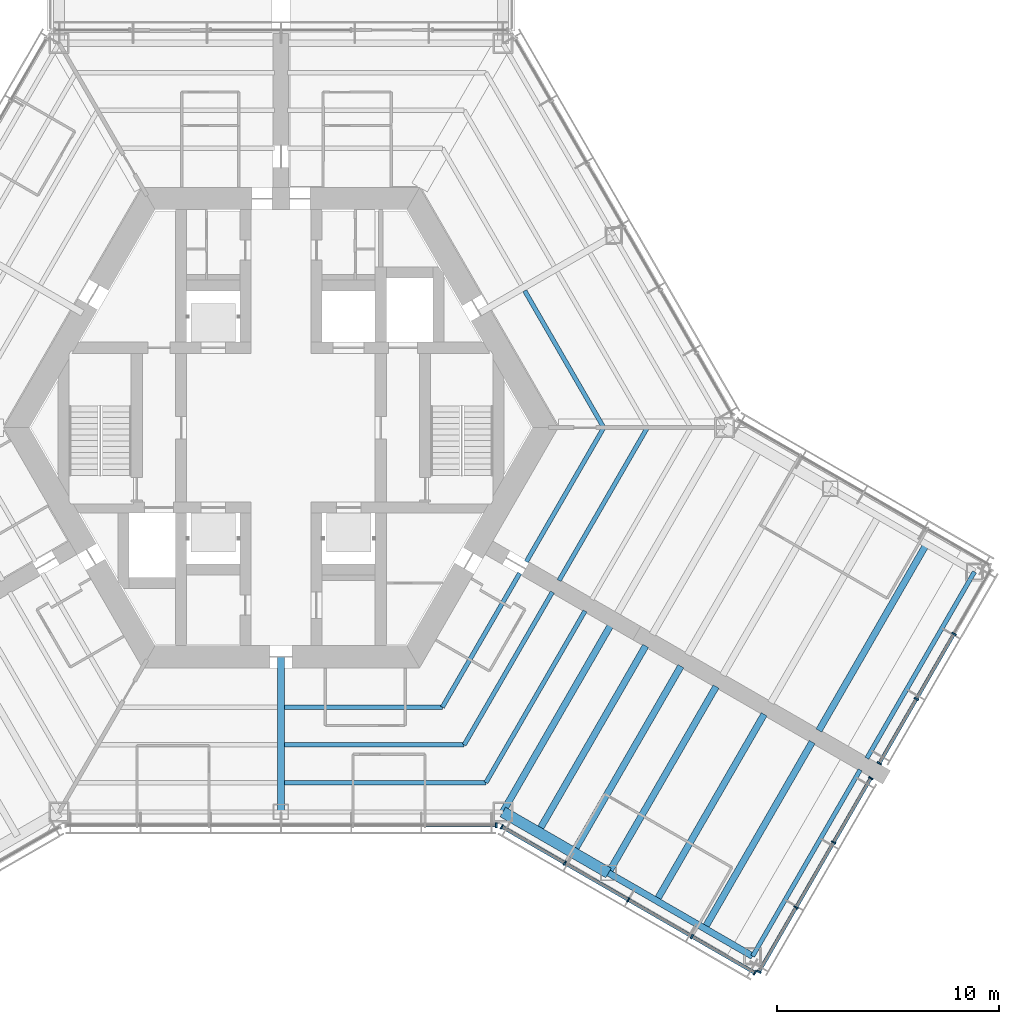
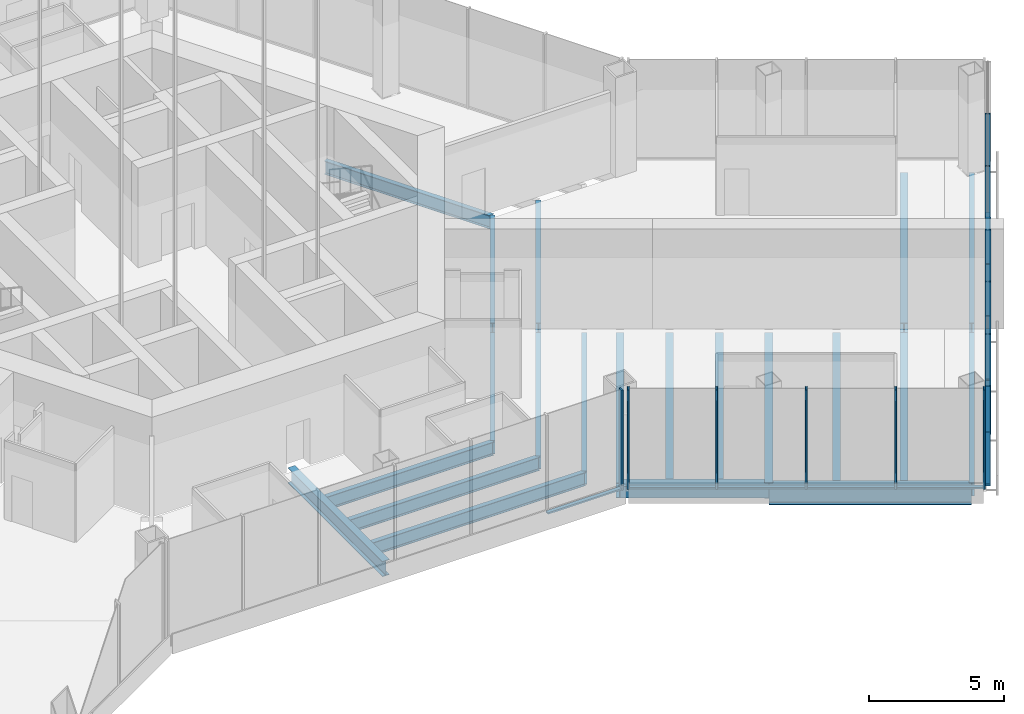
# One storey, part 4 of 18: 23 members, 21 beams, 4 elements without a shape of their own.
"""IFC4 building model written with IfcOpenShell, lengths in metres."""

from ifc_helpers import new_model, si_unit, direction, frame, origin, origin_2d, place, context, subcontext, project, spatial, rectangle, hollow_rectangle, i_section, extrude, material, material_profile, profile_set, type_object, element, aggregate, save


model = new_model("IFC4")

# Units and contexts
model_context = context("Model", 3, precision=1e-05, world=origin(), true_north=direction((0.0, 1.0)))
body_context = subcontext(model_context, "Body", "Model", "MODEL_VIEW")
ifc_project = project(units=[si_unit("LENGTHUNIT", "METRE"), si_unit("AREAUNIT", "SQUARE_METRE"), si_unit("VOLUMEUNIT", "CUBIC_METRE"), si_unit("PLANEANGLEUNIT", "RADIAN"), si_unit("MASSUNIT", "GRAM", prefix="KILO")], contexts=[model_context])

# Site, building, storey
site_placement = place(None, origin())
site = spatial("IfcSite", under=ifc_project, at=site_placement, CompositionType="ELEMENT")
building_placement = place(site_placement, origin())
building = spatial("IfcBuilding", under=site, at=building_placement, Name="Kasaneha Research Tower", CompositionType="ELEMENT")
storey_placement = place(building_placement, frame((0.0, 0.0, 128.60009765625)))
storey = spatial("IfcBuildingStorey", under=building, at=storey_placement, Name="L32", CompositionType="ELEMENT", Elevation=128.60009765625)

# Beams
ifc_material_1 = material(Name="Steel SN490B", Category="steel")
ifc_material_profile_1 = material_profile(ifc_material_1, i_section(OverallWidth=0.199951171875, OverallDepth=0.60009765625, WebThickness=0.010986328125, FlangeThickness=0.01708984375, FilletRadius=0.012939453125, at=origin_2d()), Name="H-600x200x11x17")
ifc_profile_set_1 = profile_set([ifc_material_profile_1], Name="Steel SN490B")
beam_type_1 = type_object("IfcBeamType", Name="B1-4 secondary beam H-600x200x11x17", PredefinedType="JOIST", material=ifc_profile_set_1)
for number, where, z_axis, x_axis, name in (
    (1, (14.54931640625, 0.0, -0.5), (-0.500016104636, 0.866016105569, 0.0), (-0.866016105569, -0.500016104636, 0.0), "Secondary beam RS030L1 L32"),
    (2, (7.274658203125, -12.60009765625, -0.5), (-1.0, 0.0, 0.0), (0.0, -1.0, 0.0), "Secondary beam RS270R1 L32"),
):
    element("IfcBeam", number, at=place(storey_placement, frame(where, z_axis=z_axis, x_axis=x_axis)), inside=storey, type_object=beam_type_1, Name=name, PredefinedType="JOIST", context=body_context, shape_type="SweptSolid", body=[
        extrude(i_section(OverallWidth=0.199951171875, OverallDepth=0.60009765625, WebThickness=0.010986328125, FlangeThickness=0.01708984375, FilletRadius=0.012939453125, at=origin_2d()), origin(), (0.0, 0.0, 1.0), 7.124755859375),
    ])
beam_1_placement = place(storey_placement, frame((8.256103515625, -14.300048828125, -0.5), z_axis=(-1.0, 0.0, 0.0), x_axis=(0.0, -1.0, 0.0)))
element("IfcBeam", 3, at=beam_1_placement, inside=storey, type_object=beam_type_1, Name="Secondary beam RS270R2 L32", PredefinedType="JOIST", context=body_context, shape_type="SweptSolid", body=[
    extrude(i_section(OverallWidth=0.199951171875, OverallDepth=0.60009765625, WebThickness=0.010986328125, FlangeThickness=0.01708984375, FilletRadius=0.012939453125, at=origin_2d()), origin(), (0.0, 0.0, 1.0), 8.106201171875),
])
beam_2_placement = place(storey_placement, frame((9.237548828125, -16.0, -0.5), z_axis=(-1.0, 0.0, 0.0), x_axis=(0.0, -1.0, 0.0)))
element("IfcBeam", 4, at=beam_2_placement, inside=storey, type_object=beam_type_1, Name="Secondary beam RS270R3 L32", PredefinedType="JOIST", context=body_context, shape_type="SweptSolid", body=[
    extrude(i_section(OverallWidth=0.199951171875, OverallDepth=0.60009765625, WebThickness=0.010986328125, FlangeThickness=0.01708984375, FilletRadius=0.012939453125, at=origin_2d()), origin(), (0.0, 0.0, 1.0), 9.087646484375),
])
beam_3_placement = place(storey_placement, frame((7.274658203125, -12.60009765625, -0.5), z_axis=(0.499994145342, 0.866028783947, 0.0), x_axis=(-0.866028783947, 0.499994145342, 0.0)))
element("IfcBeam", 5, at=beam_3_placement, inside=storey, type_object=beam_type_1, Name="Secondary beam RS330L1 L32", PredefinedType="JOIST", context=body_context, shape_type="SweptSolid", body=[
    extrude(i_section(OverallWidth=0.199951171875, OverallDepth=0.60009765625, WebThickness=0.010986328125, FlangeThickness=0.01708984375, FilletRadius=0.012939453125, at=origin_2d()), origin(), (0.0, 0.0, 1.0), 6.974609375),
])
beam_4_placement = place(storey_placement, frame((8.256103515625, -14.300048828125, -0.5), z_axis=(0.50000047647, 0.866025128694, 0.0), x_axis=(-0.866025128694, 0.50000047647, 0.0)))
element("IfcBeam", 6, at=beam_4_placement, inside=storey, type_object=beam_type_1, Name="Secondary beam RS330L2 L32", PredefinedType="JOIST", context=body_context, shape_type="SweptSolid", body=[
    extrude(i_section(OverallWidth=0.199951171875, OverallDepth=0.60009765625, WebThickness=0.010986328125, FlangeThickness=0.01708984375, FilletRadius=0.012939453125, at=origin_2d()), origin(), (0.0, 0.0, 1.0), 7.9560546875),
])
beam_5_placement = place(storey_placement, frame((9.237548828125, -16.0, -0.5), z_axis=(0.49999358888, 0.866029105215, 0.0), x_axis=(-0.866029105215, 0.49999358888, 0.0)))
element("IfcBeam", 7, at=beam_5_placement, inside=storey, type_object=beam_type_1, Name="Secondary beam RS330L3 L32", PredefinedType="JOIST", context=body_context, shape_type="SweptSolid", body=[
    extrude(i_section(OverallWidth=0.199951171875, OverallDepth=0.60009765625, WebThickness=0.010986328125, FlangeThickness=0.01708984375, FilletRadius=0.012939453125, at=origin_2d()), origin(), (0.0, 0.0, 1.0), 8.9375),
])
beam_6_placement = place(storey_placement, frame((14.54931640625, 0.0, -0.5), z_axis=(-0.499994145342, -0.866028783947, 0.0), x_axis=(0.866028783947, -0.499994145342, 0.0)))
element("IfcBeam", 8, at=beam_6_placement, inside=storey, type_object=beam_type_1, Name="Secondary beam RS330R1 L32", PredefinedType="JOIST", context=body_context, shape_type="SweptSolid", body=[
    extrude(i_section(OverallWidth=0.199951171875, OverallDepth=0.60009765625, WebThickness=0.010986328125, FlangeThickness=0.01708984375, FilletRadius=0.012939453125, at=origin_2d()), origin(), (0.0, 0.0, 1.0), 6.974609375),
])
beam_7_placement = place(storey_placement, frame((16.51220703125, 0.0, -0.5), z_axis=(-0.50000047647, -0.866025128694, 0.0), x_axis=(0.866025128694, -0.50000047647, 0.0)))
element("IfcBeam", 9, at=beam_7_placement, inside=storey, type_object=beam_type_1, Name="Secondary beam RS330R2 L32", PredefinedType="JOIST", context=body_context, shape_type="SweptSolid", body=[
    extrude(i_section(OverallWidth=0.199951171875, OverallDepth=0.60009765625, WebThickness=0.010986328125, FlangeThickness=0.01708984375, FilletRadius=0.012939453125, at=origin_2d()), origin(), (0.0, 0.0, 1.0), 7.9560546875),
])
ifc_material_2 = material(Name="Steel SN490B", Category="steel")
ifc_material_profile_2 = material_profile(ifc_material_2, i_section(OverallWidth=0.300048828125, OverallDepth=0.58203125, WebThickness=0.011962890625, FlangeThickness=0.01708984375, FilletRadius=0.012939453125, at=origin_2d()), Name="H-582x300x12x17")
ifc_profile_set_2 = profile_set([ifc_material_profile_2], Name="Steel SN490B")
beam_type_2 = type_object("IfcBeamType", Name="B2-4 secondary beam H-582x300x12x17", PredefinedType="JOIST", material=ifc_profile_set_2)
for number, where, z_axis, x_axis, name in (
    (10, (11.587646484375, -18.237060546875, -0.4912109375), (0.500010041276, 0.866019606374, 0.0), (-0.866019606374, 0.500010041276, 0.0), "Secondary beam WBCP1 L32"),
    (11, (13.175537109375, -19.15380859375, -0.4912109375), (0.499991164321, 0.866030505006, 0.0), (-0.866030505006, 0.499991164321, 0.0), "Secondary beam WBCP2 L32"),
    (12, (16.92822265625, -21.320556640625, -0.4912109375), (0.500010041276, 0.866019606374, 0.0), (-0.866019606374, 0.500010041276, 0.0), "Secondary beam WBCP3 L32"),
    (13, (19.09326171875, -22.570556640625, -0.4912109375), (0.500010041276, 0.866019606374, 0.0), (-0.866019606374, 0.500010041276, 0.0), "Secondary beam WBCP4 L32"),
    (14, (29.09326171875, -5.25, -0.4912109375), (-0.500010041276, -0.866019606374, 0.0), (0.866019606374, -0.500010041276, 0.0), "Secondary beam WBCN4 L32"),
):
    element("IfcBeam", number, at=place(storey_placement, frame(where, z_axis=z_axis, x_axis=x_axis)), inside=storey, type_object=beam_type_2, Name=name, PredefinedType="JOIST", context=body_context, shape_type="SweptSolid", body=[
        extrude(i_section(OverallWidth=0.300048828125, OverallDepth=0.58203125, WebThickness=0.011962890625, FlangeThickness=0.01708984375, FilletRadius=0.012939453125, at=origin_2d()), origin(), (0.0, 0.0, 1.0), 9.699951171875),
    ])
ifc_material_3 = material(Name="Steel SN490B", Category="steel")
ifc_material_profile_3 = material_profile(ifc_material_3, hollow_rectangle(XDim=0.5, YDim=0.5, WallThickness=0.02197265625, at=origin_2d()), Name="BOX-500x500x22")
ifc_profile_set_3 = profile_set([ifc_material_profile_3], Name="Steel SN490B")
beam_type_3 = type_object("IfcBeamType", Name="BC1-4 belt chord BOX-500x500x22", PredefinedType="BEAM", material=ifc_profile_set_3)
beam_8_placement = place(storey_placement, frame((10.0, -17.320556640625, -0.4501953125), z_axis=(0.866027397988, -0.499996545922, 0.0), x_axis=(0.499996545922, 0.866027397988, 0.0)))
element("IfcBeam", 15, at=beam_8_placement, inside=storey, type_object=beam_type_3, Name="Belt chord WSCP1 L32", PredefinedType="BEAM", context=body_context, shape_type="SweptSolid", body=[
    extrude(hollow_rectangle(XDim=0.5, YDim=0.5, WallThickness=0.02197265625, at=origin_2d()), origin(), (0.0, 0.0, 1.0), 5.5),
])

# Curtain wall, member
ifc_material_4 = material(Name="Glass and aluminium", Category="aluminium")
curtain_wall_type = type_object("IfcCurtainWallType", Name="Sky lobby curtain wall", PredefinedType="USERDEFINED", material=ifc_material_4)
curtain_wall_1_placement = place(storey_placement, origin())
curtain_wall_1 = element("IfcCurtainWall", 16, at=curtain_wall_1_placement, inside=storey, type_object=curtain_wall_type, Name="CW-S L32 run 01a", ObjectType="UNITISED CURTAIN WALL", PredefinedType="USERDEFINED")
ifc_material_5 = material(Name="Aluminium 6063-T6", Category="aluminium")
ifc_material_profile_4 = material_profile(ifc_material_5, rectangle(XDim=0.070068359375, YDim=0.219970703125, at=origin_2d()), Name="CW-S mullion 70x220")
ifc_profile_set_4 = profile_set([ifc_material_profile_4], Name="Aluminium 6063-T6")
member_type_1 = type_object("IfcMemberType", Name="CW-S mullion", PredefinedType="MULLION", material=ifc_profile_set_4)
member_1_placement = place(storey_placement, frame((9.704345703125, -17.92041015625, 0.0), z_axis=(0.0, 0.0, 1.0), x_axis=(1.0, 0.0, 0.0)))
member_1 = element("IfcMember", 17, at=member_1_placement, type_object=member_type_1, Name="CW-S mullion 7", PredefinedType="MULLION", context=body_context, shape_type="SweptSolid", body=[
    extrude(rectangle(XDim=0.070068359375, YDim=0.219970703125, at=origin_2d()), origin(), (0.0, 0.0, 1.0), 4.5),
])

# Curtain wall, members
curtain_wall_2_placement = place(storey_placement, origin())
curtain_wall_2 = element("IfcCurtainWall", 18, at=curtain_wall_2_placement, inside=storey, type_object=curtain_wall_type, Name="CW-S L32 run 02a", ObjectType="UNITISED CURTAIN WALL", PredefinedType="USERDEFINED")
member_2_placement = place(storey_placement, frame((9.9560546875, -17.988037109375, 0.0), z_axis=(0.0, 0.0, 1.0), x_axis=(0.866025411464, -0.499999986699, 0.0)))
member_2 = element("IfcMember", 19, at=member_2_placement, type_object=member_type_1, Name="CW-S mullion 1", PredefinedType="MULLION", context=body_context, shape_type="SweptSolid", body=[
    extrude(rectangle(XDim=0.070068359375, YDim=0.219970703125, at=origin_2d()), origin(), (0.0, 0.0, 1.0), 4.5),
])
member_3_placement = place(storey_placement, frame((12.792236328125, -19.62548828125, 0.0), z_axis=(0.0, 0.0, 1.0), x_axis=(0.866025411464, -0.499999986699, 0.0)))
member_3 = element("IfcMember", 20, at=member_3_placement, type_object=member_type_1, Name="CW-S mullion 2", PredefinedType="MULLION", context=body_context, shape_type="SweptSolid", body=[
    extrude(rectangle(XDim=0.070068359375, YDim=0.219970703125, at=origin_2d()), origin(), (0.0, 0.0, 1.0), 4.5),
])
member_4_placement = place(storey_placement, frame((15.65869140625, -21.2802734375, 0.0), z_axis=(0.0, 0.0, 1.0), x_axis=(0.866025411464, -0.499999986699, 0.0)))
member_4 = element("IfcMember", 21, at=member_4_placement, type_object=member_type_1, Name="CW-S mullion 3", PredefinedType="MULLION", context=body_context, shape_type="SweptSolid", body=[
    extrude(rectangle(XDim=0.070068359375, YDim=0.219970703125, at=origin_2d()), origin(), (0.0, 0.0, 1.0), 4.5),
])
member_5_placement = place(storey_placement, frame((18.52490234375, -22.935302734375, 0.0), z_axis=(0.0, 0.0, 1.0), x_axis=(0.866025411464, -0.499999986699, 0.0)))
member_5 = element("IfcMember", 22, at=member_5_placement, type_object=member_type_1, Name="CW-S mullion 4", PredefinedType="MULLION", context=body_context, shape_type="SweptSolid", body=[
    extrude(rectangle(XDim=0.070068359375, YDim=0.219970703125, at=origin_2d()), origin(), (0.0, 0.0, 1.0), 4.5),
])
member_6_placement = place(storey_placement, frame((21.361083984375, -24.572509765625, 0.0), z_axis=(0.0, 0.0, 1.0), x_axis=(0.866025411464, -0.499999986699, 0.0)))
member_6 = element("IfcMember", 23, at=member_6_placement, type_object=member_type_1, Name="CW-S mullion 5", PredefinedType="MULLION", context=body_context, shape_type="SweptSolid", body=[
    extrude(rectangle(XDim=0.070068359375, YDim=0.219970703125, at=origin_2d()), origin(), (0.0, 0.0, 1.0), 4.5),
])

curtain_wall_3_placement = place(storey_placement, origin())
curtain_wall_3 = element("IfcCurtainWall", 24, at=curtain_wall_3_placement, inside=storey, type_object=curtain_wall_type, Name="CW-S L32 run 03a", ObjectType="UNITISED CURTAIN WALL", PredefinedType="USERDEFINED")
member_7_placement = place(storey_placement, frame((21.54541015625, -24.523193359375, 0.0), z_axis=(0.0, 0.0, 1.0), x_axis=(0.500000011442, 0.866025397178, 0.0)))
member_7 = element("IfcMember", 25, at=member_7_placement, type_object=member_type_1, Name="CW-S mullion 1", PredefinedType="MULLION", context=body_context, shape_type="SweptSolid", body=[
    extrude(rectangle(XDim=0.070068359375, YDim=0.219970703125, at=origin_2d()), origin(), (0.0, 0.0, 1.0), 4.5),
])
member_8_placement = place(storey_placement, frame((23.2197265625, -21.62353515625, 0.0), z_axis=(0.0, 0.0, 1.0), x_axis=(0.500000011442, 0.866025397178, 0.0)))
member_8 = element("IfcMember", 26, at=member_8_placement, type_object=member_type_1, Name="CW-S mullion 2", PredefinedType="MULLION", context=body_context, shape_type="SweptSolid", body=[
    extrude(rectangle(XDim=0.070068359375, YDim=0.219970703125, at=origin_2d()), origin(), (0.0, 0.0, 1.0), 4.5),
])
member_9_placement = place(storey_placement, frame((24.911376953125, -18.693359375, 0.0), z_axis=(0.0, 0.0, 1.0), x_axis=(0.500000011442, 0.866025397178, 0.0)))
member_9 = element("IfcMember", 27, at=member_9_placement, type_object=member_type_1, Name="CW-S mullion 3", PredefinedType="MULLION", context=body_context, shape_type="SweptSolid", body=[
    extrude(rectangle(XDim=0.070068359375, YDim=0.219970703125, at=origin_2d()), origin(), (0.0, 0.0, 1.0), 4.5),
])
member_10_placement = place(storey_placement, frame((26.58544921875, -15.793701171875, 0.0), z_axis=(0.0, 0.0, 1.0), x_axis=(0.500000011442, 0.866025397178, 0.0)))
member_10 = element("IfcMember", 28, at=member_10_placement, type_object=member_type_1, Name="CW-S mullion 4", PredefinedType="MULLION", context=body_context, shape_type="SweptSolid", body=[
    extrude(rectangle(XDim=0.070068359375, YDim=0.219970703125, at=origin_2d()), origin(), (0.0, 0.0, 1.0), 4.5),
])

curtain_wall_4_placement = place(storey_placement, origin())
curtain_wall_4 = element("IfcCurtainWall", 29, at=curtain_wall_4_placement, inside=storey, type_object=curtain_wall_type, Name="CW-S L32 run 04a", ObjectType="UNITISED CURTAIN WALL", PredefinedType="USERDEFINED")
member_11_placement = place(storey_placement, frame((26.970458984375, -15.126953125, 0.0), z_axis=(0.0, 0.0, 1.0), x_axis=(0.500000011442, 0.866025397178, 0.0)))
member_11 = element("IfcMember", 30, at=member_11_placement, type_object=member_type_1, Name="CW-S mullion 1", PredefinedType="MULLION", context=body_context, shape_type="SweptSolid", body=[
    extrude(rectangle(XDim=0.070068359375, YDim=0.219970703125, at=origin_2d()), origin(), (0.0, 0.0, 1.0), 4.5),
])
member_12_placement = place(storey_placement, frame((28.64453125, -12.22705078125, 0.0), z_axis=(0.0, 0.0, 1.0), x_axis=(0.500000011442, 0.866025397178, 0.0)))
member_12 = element("IfcMember", 31, at=member_12_placement, type_object=member_type_1, Name="CW-S mullion 2", PredefinedType="MULLION", context=body_context, shape_type="SweptSolid", body=[
    extrude(rectangle(XDim=0.070068359375, YDim=0.219970703125, at=origin_2d()), origin(), (0.0, 0.0, 1.0), 4.5),
])
member_13_placement = place(storey_placement, frame((30.336181640625, -9.297119140625, 0.0), z_axis=(0.0, 0.0, 1.0), x_axis=(0.500000011442, 0.866025397178, 0.0)))
member_13 = element("IfcMember", 32, at=member_13_placement, type_object=member_type_1, Name="CW-S mullion 3", PredefinedType="MULLION", context=body_context, shape_type="SweptSolid", body=[
    extrude(rectangle(XDim=0.070068359375, YDim=0.219970703125, at=origin_2d()), origin(), (0.0, 0.0, 1.0), 4.5),
])

# Member
ifc_material_6 = material(Name="Aluminium 6063-T6", Category="aluminium")
ifc_material_profile_5 = material_profile(ifc_material_6, rectangle(XDim=0.159912109375, YDim=0.070068359375, at=origin_2d()), Name="CW-S transom 160x70")
ifc_profile_set_5 = profile_set([ifc_material_profile_5], Name="Aluminium 6063-T6")
member_type_2 = type_object("IfcMemberType", Name="CW-S transom", PredefinedType="USERDEFINED", material=ifc_profile_set_5)
member_14_placement = place(storey_placement, frame((6.52783203125, -17.92041015625, 0.034912109375), z_axis=(1.0, 0.0, 0.0), x_axis=(0.0, 1.0, 0.0)))
member_14 = element("IfcMember", 33, at=member_14_placement, type_object=member_type_2, Name="CW-S transom 6", ObjectType="TRANSOM", PredefinedType="USERDEFINED", context=body_context, shape_type="SweptSolid", body=[
    extrude(rectangle(XDim=0.159912109375, YDim=0.070068359375, at=origin_2d()), origin(), (0.0, 0.0, 1.0), 3.141357421875),
])

aggregate(curtain_wall_1, [member_1, member_14])

member_15_placement = place(storey_placement, frame((9.986572265625, -18.005615234375, 0.034912109375), z_axis=(0.866035889079, -0.499981838497, 0.0), x_axis=(0.499981838497, 0.866035889079, 0.0)))
member_15 = element("IfcMember", 34, at=member_15_placement, type_object=member_type_2, Name="CW-S transom 1", ObjectType="TRANSOM", PredefinedType="USERDEFINED", context=body_context, shape_type="SweptSolid", body=[
    extrude(rectangle(XDim=0.159912109375, YDim=0.070068359375, at=origin_2d()), origin(), (0.0, 0.0, 1.0), 3.20458984375),
])

member_16_placement = place(storey_placement, frame((12.822509765625, -19.642822265625, 0.034912109375), z_axis=(0.866022443901, -0.500005126634, 0.0), x_axis=(0.500005126634, 0.866022443901, 0.0)))
member_16 = element("IfcMember", 35, at=member_16_placement, type_object=member_type_2, Name="CW-S transom 2", ObjectType="TRANSOM", PredefinedType="USERDEFINED", context=body_context, shape_type="SweptSolid", body=[
    extrude(rectangle(XDim=0.159912109375, YDim=0.070068359375, at=origin_2d()), origin(), (0.0, 0.0, 1.0), 3.23974609375),
])

member_17_placement = place(storey_placement, frame((15.68896484375, -21.2978515625, 0.034912109375), z_axis=(0.866022443901, -0.500005126634, 0.0), x_axis=(0.500005126634, 0.866022443901, 0.0)))
member_17 = element("IfcMember", 36, at=member_17_placement, type_object=member_type_2, Name="CW-S transom 3", ObjectType="TRANSOM", PredefinedType="USERDEFINED", context=body_context, shape_type="SweptSolid", body=[
    extrude(rectangle(XDim=0.159912109375, YDim=0.070068359375, at=origin_2d()), origin(), (0.0, 0.0, 1.0), 3.23974609375),
])

member_18_placement = place(storey_placement, frame((18.55517578125, -22.95263671875, 0.034912109375), z_axis=(0.866021947353, -0.500005986668, 0.0), x_axis=(0.500005986668, 0.866021947353, 0.0)))
member_18 = element("IfcMember", 37, at=member_18_placement, type_object=member_type_2, Name="CW-S transom 4", ObjectType="TRANSOM", PredefinedType="USERDEFINED", context=body_context, shape_type="SweptSolid", body=[
    extrude(rectangle(XDim=0.159912109375, YDim=0.070068359375, at=origin_2d()), origin(), (0.0, 0.0, 1.0), 3.205078125),
])

aggregate(curtain_wall_2, [member_2, member_3, member_4, member_5, member_6, member_15, member_16, member_17, member_18])

member_19_placement = place(storey_placement, frame((21.56298828125, -24.492919921875, 0.034912109375), z_axis=(0.499999649218, 0.866025606308, 0.0), x_axis=(-0.866025606308, 0.499999649218, 0.0)))
member_19 = element("IfcMember", 38, at=member_19_placement, type_object=member_type_2, Name="CW-S transom 1", ObjectType="TRANSOM", PredefinedType="USERDEFINED", context=body_context, shape_type="SweptSolid", body=[
    extrude(rectangle(XDim=0.159912109375, YDim=0.070068359375, at=origin_2d()), origin(), (0.0, 0.0, 1.0), 3.2783203125),
])

member_20_placement = place(storey_placement, frame((23.237060546875, -21.59326171875, 0.034912109375), z_axis=(0.499990325971, 0.866030989016, 0.0), x_axis=(-0.866030989016, 0.499990325971, 0.0)))
member_20 = element("IfcMember", 39, at=member_20_placement, type_object=member_type_2, Name="CW-S transom 2", ObjectType="TRANSOM", PredefinedType="USERDEFINED", context=body_context, shape_type="SweptSolid", body=[
    extrude(rectangle(XDim=0.159912109375, YDim=0.070068359375, at=origin_2d()), origin(), (0.0, 0.0, 1.0), 3.3134765625),
])

member_21_placement = place(storey_placement, frame((24.9287109375, -18.6630859375, 0.034912109375), z_axis=(0.499999649218, 0.866025606308, 0.0), x_axis=(-0.866025606308, 0.499999649218, 0.0)))
member_21 = element("IfcMember", 40, at=member_21_placement, type_object=member_type_2, Name="CW-S transom 3", ObjectType="TRANSOM", PredefinedType="USERDEFINED", context=body_context, shape_type="SweptSolid", body=[
    extrude(rectangle(XDim=0.159912109375, YDim=0.070068359375, at=origin_2d()), origin(), (0.0, 0.0, 1.0), 3.2783203125),
])

aggregate(curtain_wall_3, [member_7, member_8, member_9, member_10, member_19, member_20, member_21])

member_22_placement = place(storey_placement, frame((26.988037109375, -15.096435546875, 0.034912109375), z_axis=(0.499999649218, 0.866025606308, 0.0), x_axis=(-0.866025606308, 0.499999649218, 0.0)))
member_22 = element("IfcMember", 41, at=member_22_placement, type_object=member_type_2, Name="CW-S transom 1", ObjectType="TRANSOM", PredefinedType="USERDEFINED", context=body_context, shape_type="SweptSolid", body=[
    extrude(rectangle(XDim=0.159912109375, YDim=0.070068359375, at=origin_2d()), origin(), (0.0, 0.0, 1.0), 3.2783203125),
])

member_23_placement = place(storey_placement, frame((28.662109375, -12.19677734375, 0.034912109375), z_axis=(0.500022231494, 0.866012568045, 0.0), x_axis=(-0.866012568045, 0.500022231494, 0.0)))
member_23 = element("IfcMember", 42, at=member_23_placement, type_object=member_type_2, Name="CW-S transom 2", ObjectType="TRANSOM", PredefinedType="USERDEFINED", context=body_context, shape_type="SweptSolid", body=[
    extrude(rectangle(XDim=0.159912109375, YDim=0.070068359375, at=origin_2d()), origin(), (0.0, 0.0, 1.0), 3.313232421875),
])

aggregate(curtain_wall_4, [member_11, member_12, member_13, member_22, member_23])

# Beams
ifc_material_7 = material(Name="Steel SN490B", Category="steel")
ifc_material_profile_6 = material_profile(ifc_material_7, i_section(OverallWidth=0.300048828125, OverallDepth=0.69189453125, WebThickness=0.012939453125, FlangeThickness=0.02001953125, FilletRadius=0.01806640625, at=origin_2d()), Name="H-692x300x13x20")
ifc_profile_set_6 = profile_set([ifc_material_profile_6], Name="Steel SN490B")
beam_type_4 = type_object("IfcBeamType", Name="G2-4 radial girder H-692x300x13x20", PredefinedType="BEAM", material=ifc_profile_set_6)
beam_9_placement = place(storey_placement, frame((0.0, -10.324951171875, -0.546142578125), z_axis=(0.0, -1.0, 0.0), x_axis=(1.0, 0.0, 0.0)))
element("IfcBeam", 43, at=beam_9_placement, inside=storey, type_object=beam_type_4, Name="Radial girder RM270 L32", PredefinedType="BEAM", context=body_context, shape_type="SweptSolid", body=[
    extrude(i_section(OverallWidth=0.300048828125, OverallDepth=0.69189453125, WebThickness=0.012939453125, FlangeThickness=0.02001953125, FilletRadius=0.01806640625, at=origin_2d()), origin(), (0.0, 0.0, 1.0), 6.99560546875),
])
ifc_material_8 = material(Name="Steel SN490B", Category="steel")
ifc_material_profile_7 = material_profile(ifc_material_8, i_section(OverallWidth=0.300048828125, OverallDepth=0.69189453125, WebThickness=0.012939453125, FlangeThickness=0.02001953125, FilletRadius=0.01806640625, at=origin_2d()), Name="H-692x300x13x20")
ifc_profile_set_7 = profile_set([ifc_material_profile_7], Name="Steel SN490B")
beam_type_5 = type_object("IfcBeamType", Name="G3-4 plate edge girder H-692x300x13x20", PredefinedType="BEAM", material=ifc_profile_set_7)
beam_10_placement = place(storey_placement, frame((10.0, -17.320556640625, -0.546142578125), z_axis=(0.500010041276, 0.866019606374, 0.0), x_axis=(-0.866019606374, 0.500010041276, 0.0)))
element("IfcBeam", 44, at=beam_10_placement, inside=storey, type_object=beam_type_5, Name="Plate edge girder PECP L32", PredefinedType="BEAM", context=body_context, shape_type="SweptSolid", body=[
    extrude(i_section(OverallWidth=0.300048828125, OverallDepth=0.69189453125, WebThickness=0.012939453125, FlangeThickness=0.02001953125, FilletRadius=0.01806640625, at=origin_2d()), origin(), (0.0, 0.0, 1.0), 9.699951171875),
])
ifc_material_9 = material(Name="Steel SN490B", Category="steel")
ifc_material_profile_8 = material_profile(ifc_material_9, i_section(OverallWidth=0.300048828125, OverallDepth=0.699951171875, WebThickness=0.012939453125, FlangeThickness=0.02392578125, FilletRadius=0.01806640625, at=origin_2d()), Name="H-700x300x13x24")
ifc_profile_set_8 = profile_set([ifc_material_profile_8], Name="Steel SN490B")
beam_type_6 = type_object("IfcBeamType", Name="G4-4 wing girder H-700x300x13x24", PredefinedType="BEAM", material=ifc_profile_set_8)
beam_11_placement = place(storey_placement, frame((14.76318359375, -20.070556640625, -0.550048828125), z_axis=(0.499991164321, 0.866030505006, 0.0), x_axis=(-0.866030505006, 0.499991164321, 0.0)))
element("IfcBeam", 45, at=beam_11_placement, inside=storey, type_object=beam_type_6, Name="Wing girder WGCP L32", PredefinedType="BEAM", context=body_context, shape_type="SweptSolid", body=[
    extrude(i_section(OverallWidth=0.300048828125, OverallDepth=0.699951171875, WebThickness=0.012939453125, FlangeThickness=0.02392578125, FilletRadius=0.01806640625, at=origin_2d()), origin(), (0.0, 0.0, 1.0), 9.699951171875),
])
ifc_material_10 = material(Name="Steel SN490B", Category="steel")
ifc_material_profile_9 = material_profile(ifc_material_10, i_section(OverallWidth=0.300048828125, OverallDepth=0.89990234375, WebThickness=0.01611328125, FlangeThickness=0.028076171875, FilletRadius=0.01806640625, at=origin_2d()), Name="H-900x300x16x28")
ifc_profile_set_9 = profile_set([ifc_material_profile_9], Name="Steel SN490B")
beam_type_7 = type_object("IfcBeamType", Name="SB2-4 spandrel beam H-900x300x16x28", PredefinedType="SPANDREL", material=ifc_profile_set_9)
beam_12_placement = place(storey_placement, frame((14.76318359375, -20.070556640625, -0.650146484375), z_axis=(0.866022959057, -0.500004234368, 0.0), x_axis=(0.500004234368, 0.866022959057, 0.0)))
element("IfcBeam", 46, at=beam_12_placement, inside=storey, type_object=beam_type_7, Name="Spandrel beam WSCP2 L32", PredefinedType="SPANDREL", context=body_context, shape_type="SweptSolid", body=[
    extrude(i_section(OverallWidth=0.300048828125, OverallDepth=0.89990234375, WebThickness=0.01611328125, FlangeThickness=0.028076171875, FilletRadius=0.01806640625, at=origin_2d()), origin(), (0.0, 0.0, 1.0), 7.5),
])
ifc_material_11 = material(Name="Steel SN490B", Category="steel")
ifc_material_profile_10 = material_profile(ifc_material_11, i_section(OverallWidth=0.199951171875, OverallDepth=0.60009765625, WebThickness=0.010986328125, FlangeThickness=0.01708984375, FilletRadius=0.012939453125, at=origin_2d()), Name="H-600x200x11x17")
ifc_profile_set_10 = profile_set([ifc_material_profile_10], Name="Steel SN490B")
beam_type_8 = type_object("IfcBeamType", Name="SB3-4 spandrel beam H-600x200x11x17", PredefinedType="SPANDREL", material=ifc_profile_set_10)
for number, where, z_axis, x_axis, name in (
    (47, (21.25830078125, -23.820556640625, -0.5), (0.500010041276, 0.866019606374, 0.0), (-0.866019606374, 0.500010041276, 0.0), "Spandrel beam WTCP L32"),
    (48, (31.25830078125, -6.5, -0.5), (-0.499991164321, -0.866030505006, 0.0), (0.866030505006, -0.499991164321, 0.0), "Spandrel beam WTCN L32"),
):
    element("IfcBeam", number, at=place(storey_placement, frame(where, z_axis=z_axis, x_axis=x_axis)), inside=storey, type_object=beam_type_8, Name=name, PredefinedType="SPANDREL", context=body_context, shape_type="SweptSolid", body=[
        extrude(i_section(OverallWidth=0.199951171875, OverallDepth=0.60009765625, WebThickness=0.010986328125, FlangeThickness=0.01708984375, FilletRadius=0.012939453125, at=origin_2d()), origin(), (0.0, 0.0, 1.0), 9.699951171875),
    ])

save(model, "model.ifc")
